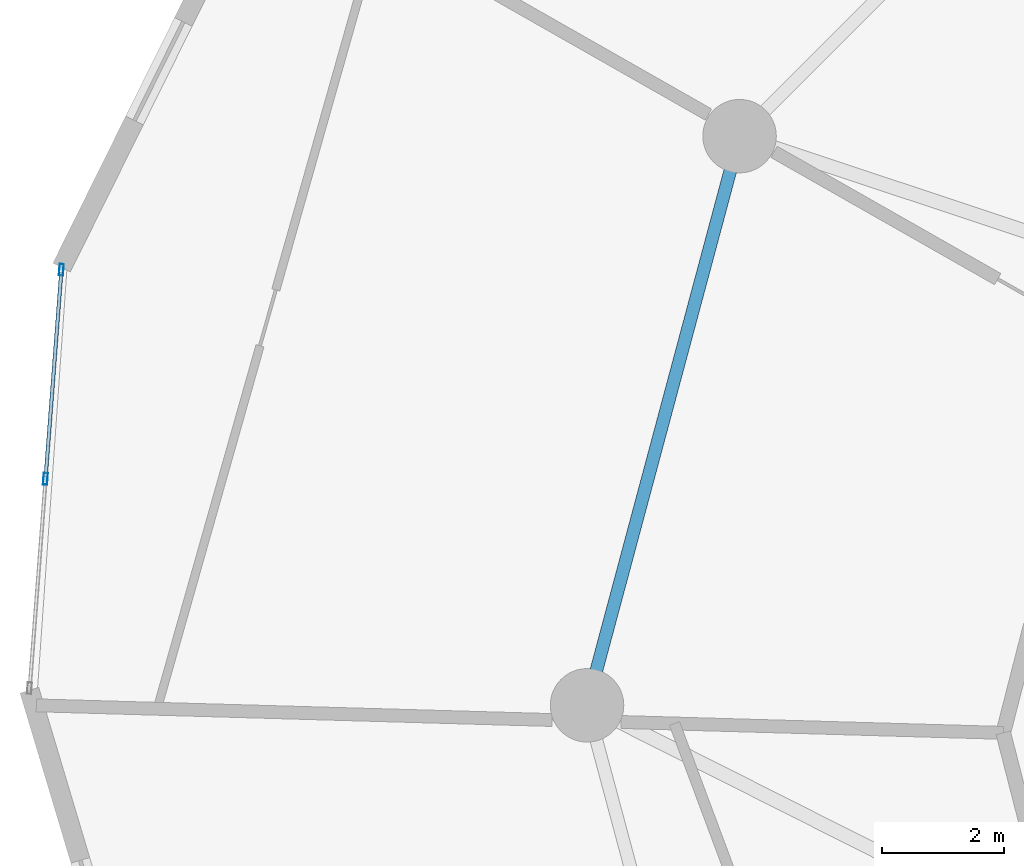
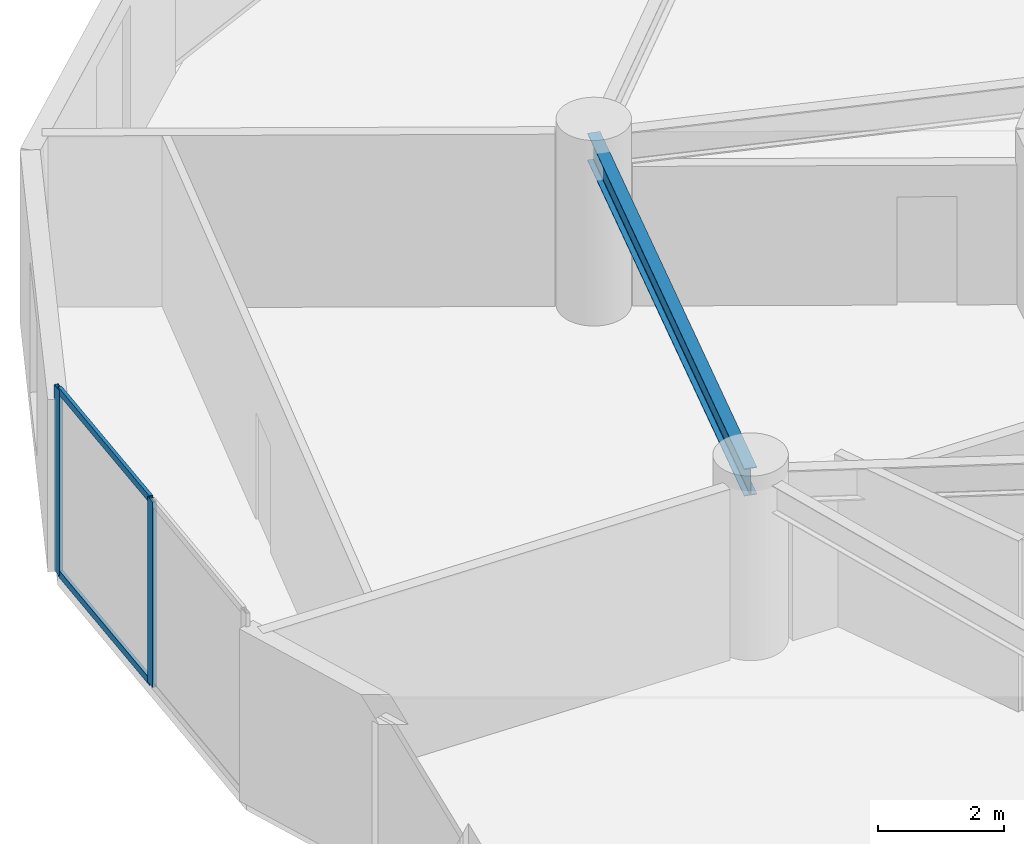
# One storey, part 8 of 25: 4 members, 1 beam, 1 element without a shape of its own.
"""IFC4 building model written with IfcOpenShell, lengths in metres."""

from ifc_helpers import new_model, si_unit, direction, frame, origin, origin_2d, place, context, subcontext, project, spatial, hollow_rectangle, i_section, extrude, source, transform, mapped, material, layer, layer_set, material_profile, profile_set, type_object, element, aggregate, save


model = new_model("IFC4")

# Units and contexts
model_context = context("Model", 3, precision=1e-05, world=origin(), true_north=direction((0.0, 1.0)))
body_context = subcontext(model_context, "Body", "Model", "MODEL_VIEW")
ifc_project = project(units=[si_unit("LENGTHUNIT", "METRE"), si_unit("AREAUNIT", "SQUARE_METRE"), si_unit("VOLUMEUNIT", "CUBIC_METRE"), si_unit("PLANEANGLEUNIT", "RADIAN"), si_unit("MASSUNIT", "GRAM", prefix="KILO")], contexts=[model_context])

# Site, building, storey
site_placement = place(None, origin())
site = spatial("IfcSite", under=ifc_project, at=site_placement, CompositionType="ELEMENT")
building_placement = place(site_placement, origin())
building = spatial("IfcBuilding", under=site, at=building_placement, Name="Solvirekh Grand Hotel", CompositionType="ELEMENT")
storey_placement = place(building_placement, frame((0.0, 0.0, 60.800048828125)))
storey = spatial("IfcBuildingStorey", under=building, at=storey_placement, Name="L14", CompositionType="ELEMENT", Elevation=60.800048828125)

# Beam
ifc_material_1 = material(Name="Steel S355", Category="steel")
ifc_material_profile_1 = material_profile(ifc_material_1, i_section(OverallWidth=0.208984375, OverallDepth=0.532958984375, WebThickness=0.010009765625, FlangeThickness=0.014892578125, FilletRadius=0.013916015625, at=origin_2d()), Name="W530X92")
ifc_profile_set_1 = profile_set([ifc_material_profile_1], Name="Steel S355")
beam_type = type_object("IfcBeamType", Name="Spandrel_Ring_W530", PredefinedType="SPANDREL", material=ifc_profile_set_1)
beam_placement = place(storey_placement, frame((-16.10791015625, 9.300048828125, 3.072998046875), z_axis=(-0.258842973314, -0.965919414426, 0.0), x_axis=(0.965919414426, -0.258842973314, 0.0)))
element("IfcBeam", 1, at=beam_placement, inside=storey, type_object=beam_type, Name="L14 perimeter spandrel beam 6", PredefinedType="SPANDREL", context=body_context, shape_type="SweptSolid", body=[
    extrude(i_section(OverallWidth=0.208984375, OverallDepth=0.532958984375, WebThickness=0.010009765625, FlangeThickness=0.014892578125, FilletRadius=0.013916015625, at=origin_2d()), origin(), (0.0, 0.0, 1.0), 9.628173828125),
])

# Curtain wall, members
ifc_material_2 = material(Name="Anodized Bronze Aluminium 6063-T6", Category="aluminium")
ifc_layer = layer(ifc_material_2, 0.18994140625)
ifc_layer_set = layer_set([ifc_layer], Name="Anodized Bronze Aluminium 6063-T6")
curtain_wall_type = type_object("IfcCurtainWallType", Name="CW_Sys2_LowZoneFlushBronzeCW", PredefinedType="NOTDEFINED", material=ifc_layer_set)
curtain_wall_placement = place(storey_placement, origin())
curtain_wall = element("IfcCurtainWall", 2, at=curtain_wall_placement, inside=storey, type_object=curtain_wall_type, Name="L14 unitised bronze-glass curtain wall CW-L14-C11", PredefinedType="NOTDEFINED")
ifc_material_profile_2 = material_profile(ifc_material_2, hollow_rectangle(XDim=0.070068359375, YDim=0.18994140625, WallThickness=0.0048828125, at=origin_2d()), Name="ALU RHS 190X70X5")
ifc_profile_set_2 = profile_set([ifc_material_profile_2], Name="Anodized Bronze Aluminium 6063-T6")
member_type_1 = type_object("IfcMemberType", Name="CWMullion_Sys2", PredefinedType="MULLION", material=ifc_profile_set_2)
shared_shape_1 = source(origin(), body_context, "Body", "SweptSolid", [
    extrude(hollow_rectangle(XDim=0.070068359375, YDim=0.18994140625, WallThickness=0.0048828125, at=origin_2d()), origin(), (0.0, 0.0, 1.0), 3.599853515625),
])
member_1_placement = place(storey_placement, frame((-27.188720703125, 7.1171875, 0.0), z_axis=(0.0, 0.0, 1.0), x_axis=(0.997111956194, -0.075945683315, 0.0)))
member_1 = element("IfcMember", 3, at=member_1_placement, type_object=member_type_1, Name="U02 mullion 1", PredefinedType="MULLION", context=body_context, shape_type="MappedRepresentation", body=[
    mapped(shared_shape_1, transform((0.0, 0.0, 0.0), x_axis=(1.0, 0.0, 0.0), y_axis=(0.0, 1.0, 0.0), z_axis=(0.0, 0.0, 1.0), scale=1.0)),
])
member_2_placement = place(storey_placement, frame((-27.448974609375, 3.698974609375, 0.0), z_axis=(0.0, 0.0, 1.0), x_axis=(0.997111956194, -0.075945683315, 0.0)))
member_2 = element("IfcMember", 4, at=member_2_placement, type_object=member_type_1, Name="U02 mullion 2", PredefinedType="MULLION", context=body_context, shape_type="MappedRepresentation", body=[
    mapped(shared_shape_1, transform((0.0, 0.0, 0.0), x_axis=(1.0, 0.0, 0.0), y_axis=(0.0, 1.0, 0.0), z_axis=(0.0, 0.0, 1.0), scale=1.0)),
])
ifc_material_profile_3 = material_profile(ifc_material_2, hollow_rectangle(XDim=0.06005859375, YDim=0.135009765625, WallThickness=0.00390625, at=origin_2d()), Name="ALU RHS 135X60X4")
ifc_profile_set_3 = profile_set([ifc_material_profile_3], Name="Anodized Bronze Aluminium 6063-T6")
member_type_2 = type_object("IfcMemberType", Name="CWTransom_Sys2", PredefinedType="USERDEFINED", material=ifc_profile_set_3)
shared_shape_2 = source(origin(), body_context, "Body", "SweptSolid", [
    extrude(hollow_rectangle(XDim=0.06005859375, YDim=0.135009765625, WallThickness=0.00390625, at=origin_2d()), origin(), (0.0, 0.0, 1.0), 3.358154296875),
])
member_3_placement = place(storey_placement, frame((-27.19140625, 7.082275390625, 0.030029296875), z_axis=(-0.075901450854, -0.997115324202, 0.0), x_axis=(0.997115324202, -0.075901450854, 0.0)))
member_3 = element("IfcMember", 5, at=member_3_placement, type_object=member_type_2, Name="U02 transom 1.1", ObjectType="TRANSOM", PredefinedType="USERDEFINED", context=body_context, shape_type="MappedRepresentation", body=[
    mapped(shared_shape_2, transform((0.0, 0.0, 0.0), x_axis=(1.0, 0.0, 0.0), y_axis=(0.0, 1.0, 0.0), z_axis=(0.0, 0.0, 1.0), scale=1.0)),
])
member_4_placement = place(storey_placement, frame((-27.19140625, 7.082275390625, 3.570068359375), z_axis=(-0.075901450854, -0.997115324202, 0.0), x_axis=(0.997115324202, -0.075901450854, 0.0)))
member_4 = element("IfcMember", 6, at=member_4_placement, type_object=member_type_2, Name="U02 transom 1.2", ObjectType="TRANSOM", PredefinedType="USERDEFINED", context=body_context, shape_type="MappedRepresentation", body=[
    mapped(shared_shape_2, transform((0.0, 0.0, 0.0), x_axis=(1.0, 0.0, 0.0), y_axis=(0.0, 1.0, 0.0), z_axis=(0.0, 0.0, 1.0), scale=1.0)),
])
aggregate(curtain_wall, [member_1, member_2, member_3, member_4])

save(model, "model.ifc")
